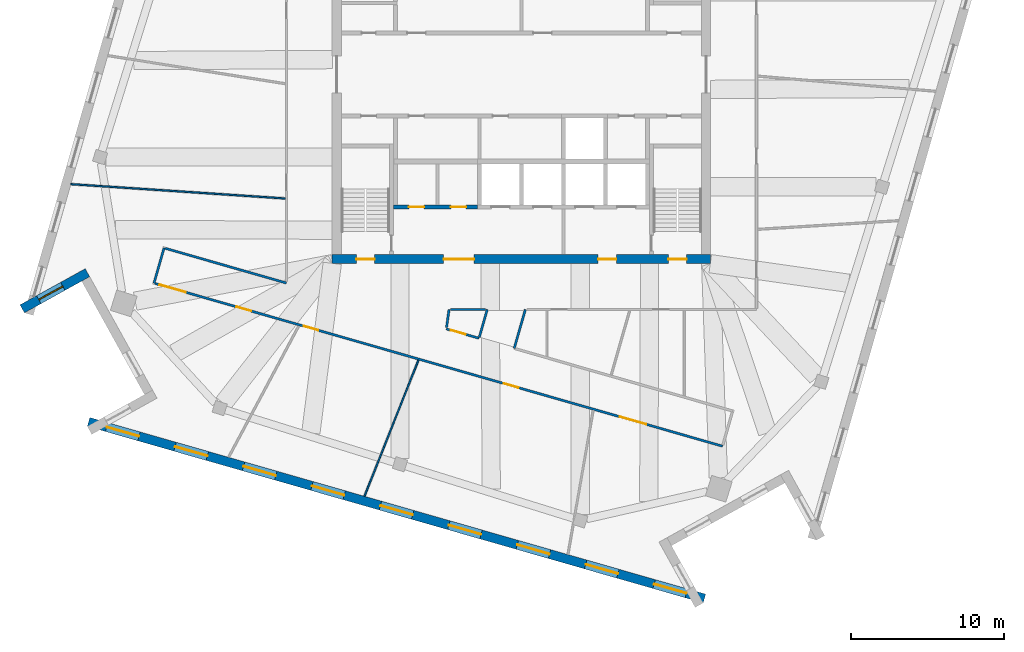
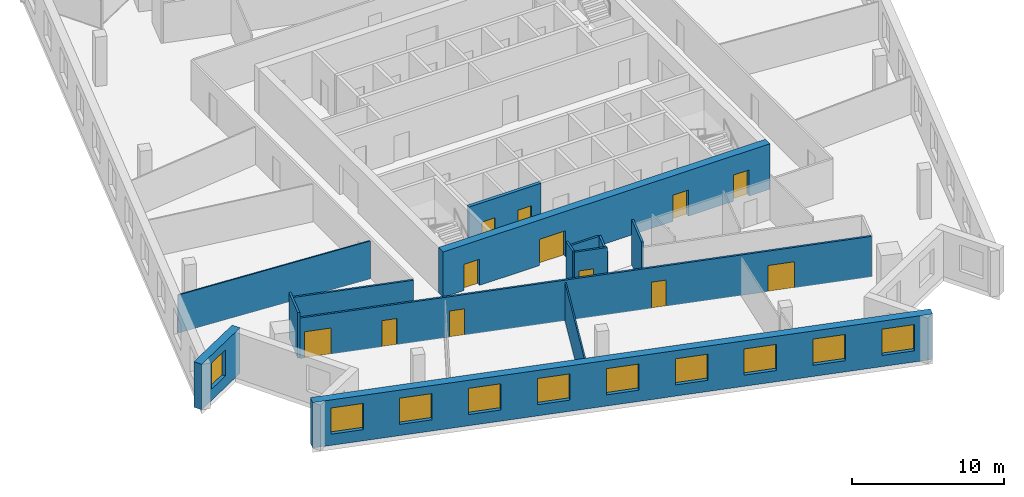
# One storey, part 7 of 15: 14 walls, 12 doors, 10 windows, 22 openings.
"""IFC4 building model written with IfcOpenShell, lengths in metres."""

from ifc_helpers import new_model, si_unit, direction, frame, frame_2d, origin, place, context, subcontext, project, spatial, rectangle, extrude, material, layer, layer_set, type_object, element, fill, save


model = new_model("IFC4")

# Units and contexts
model_context = context("Model", 3, precision=1e-05, world=origin(), true_north=direction((0.0, 1.0)))
body_context = subcontext(model_context, "Body", "Model", "MODEL_VIEW")
ifc_project = project(units=[si_unit("LENGTHUNIT", "METRE"), si_unit("AREAUNIT", "SQUARE_METRE"), si_unit("VOLUMEUNIT", "CUBIC_METRE"), si_unit("PLANEANGLEUNIT", "RADIAN"), si_unit("MASSUNIT", "GRAM", prefix="KILO")], contexts=[model_context])

# Site, building, storey
site_placement = place(None, origin())
site = spatial("IfcSite", under=ifc_project, at=site_placement, CompositionType="ELEMENT")
building_placement = place(site_placement, origin())
building = spatial("IfcBuilding", under=site, at=building_placement, Name="Dilmun Exchange Tower", CompositionType="ELEMENT")
storey_placement = place(building_placement, frame((0.0, 0.0, 324.5)))
storey = spatial("IfcBuildingStorey", under=building, at=storey_placement, Name="L77", CompositionType="ELEMENT", Elevation=324.5)

# Wall, openings, doors
ifc_material_1 = material(Name="Concrete C40/50", Category="concrete")
ifc_layer_1 = layer(ifc_material_1, 0.25)
ifc_layer_set_1 = layer_set([ifc_layer_1], Name="Concrete C40/50")
wall_type_1 = type_object("IfcWallType", Name="Core partition wall 250", PredefinedType="PARTITIONING", material=ifc_layer_set_1)
wall_1_placement = place(storey_placement, frame((-8.3701171875, -8.675048828125, 0.0), z_axis=(0.0, 0.0, 1.0), x_axis=(1.0, 0.0, 0.0)))
wall_1 = element("IfcWall", 1, at=wall_1_placement, inside=storey, type_object=wall_type_1, Name="L77 core partition wall 02", PredefinedType="PARTITIONING", context=body_context, shape_type="SweptSolid", body=[
    extrude(rectangle(XDim=5.490234375, YDim=0.25, at=frame_2d((2.7451171875, 0.0))), origin(), (0.0, 0.0, 1.0), 3.64990234375),
])
opening_1_placement = place(wall_1_placement, frame((0.9951171875, 0.0, 0.0)))
opening_1 = element("IfcOpeningElement", 2, at=opening_1_placement, cuts=wall_1, Name="Opening CD4", PredefinedType="OPENING", context=body_context, shape_type="SweptSolid", body=[
    extrude(rectangle(XDim=1.0, YDim=2.10009765625, at=frame_2d((0.5, 1.050048828125))), frame((0.0, 0.135009765625, 0.0), z_axis=(0.0, -1.0, 0.0), x_axis=(1.0, 0.0, 0.0)), (0.0, 0.0, 1.0), 0.27001953125),
])
opening_2_placement = place(wall_1_placement, frame((3.7451171875, 0.0, 0.0)))
opening_2 = element("IfcOpeningElement", 3, at=opening_2_placement, cuts=wall_1, Name="Opening CD4", PredefinedType="OPENING", context=body_context, shape_type="SweptSolid", body=[
    extrude(rectangle(XDim=1.0, YDim=2.10009765625, at=frame_2d((0.5, 1.050048828125))), frame((0.0, 0.135009765625, 0.0), z_axis=(0.0, -1.0, 0.0), x_axis=(1.0, 0.0, 0.0)), (0.0, 0.0, 1.0), 0.27001953125),
])
ifc_material_2 = material(Name="Fire-rated steel door set", Category="steel")
door_type_1 = type_object("IfcDoorType", Name="Core room door 1000x2100", OperationType="SINGLE_SWING_LEFT", PredefinedType="DOOR", material=ifc_material_2)
door_1_placement = place(opening_1_placement, origin())
door_1 = element("IfcDoor", 4, at=door_1_placement, inside=storey, type_object=door_type_1, Name="L77 door Male WC", OperationType="SINGLE_SWING_RIGHT", OverallHeight=2.10009765625, OverallWidth=1.0, PredefinedType="DOOR", context=body_context, shape_type="SweptSolid", body=[
    extrude(rectangle(XDim=1.0, YDim=2.10009765625, at=frame_2d((0.5, 1.050048828125))), frame((0.0, 0.02490234375, 0.0), z_axis=(0.0, -1.0, 0.0), x_axis=(1.0, 0.0, 0.0)), (0.0, 0.0, 1.0), 0.050048828125),
])
fill(opening_1, door_1)
door_2_placement = place(opening_2_placement, origin())
door_2 = element("IfcDoor", 5, at=door_2_placement, inside=storey, type_object=door_type_1, Name="L77 door Female WC", OperationType="SINGLE_SWING_RIGHT", OverallHeight=2.10009765625, OverallWidth=1.0, PredefinedType="DOOR", context=body_context, shape_type="SweptSolid", body=[
    extrude(rectangle(XDim=1.0, YDim=2.10009765625, at=frame_2d((0.5, 1.050048828125))), frame((0.0, 0.02490234375, 0.0), z_axis=(0.0, -1.0, 0.0), x_axis=(1.0, 0.0, 0.0)), (0.0, 0.0, 1.0), 0.050048828125),
])
fill(opening_2, door_2)

ifc_material_3 = material(Name="Concrete C50/60", Category="concrete")
ifc_layer_2 = layer(ifc_material_3, 0.60009765625)
ifc_layer_set_2 = layer_set([ifc_layer_2], Name="Concrete C50/60")
wall_type_2 = type_object("IfcWallType", Name="Core shear wall 600 Concrete C50/60", PredefinedType="SHEAR", material=ifc_layer_set_2)
wall_2_placement = place(storey_placement, frame((-12.39990234375, -12.10009765625, 0.0), z_axis=(0.0, 0.0, 1.0), x_axis=(1.0, 0.0, 0.0)))
wall_2 = element("IfcWall", 6, at=wall_2_placement, inside=storey, type_object=wall_type_2, Name="L77 core shear wall S", PredefinedType="SHEAR", context=body_context, shape_type="SweptSolid", body=[
    extrude(rectangle(XDim=24.7998046875, YDim=0.60009765625, at=frame_2d((12.39990234375, 0.0))), origin(), (0.0, 0.0, 1.0), 3.64990234375),
])
opening_3_placement = place(wall_2_placement, frame((7.300048828125, 0.0, 0.0)))
opening_3 = element("IfcOpeningElement", 7, at=opening_3_placement, cuts=wall_2, Name="Opening CD2", PredefinedType="OPENING", context=body_context, shape_type="SweptSolid", body=[
    extrude(rectangle(XDim=2.0, YDim=2.10009765625, at=frame_2d((1.0, 1.050048828125))), frame((0.0, 0.31005859375, 0.0), z_axis=(0.0, -1.0, 0.0), x_axis=(1.0, 0.0, 0.0)), (0.0, 0.0, 1.0), 0.6201171875),
])
opening_4_placement = place(wall_2_placement, frame((17.425048828125, 0.0, 0.0)))
opening_4 = element("IfcOpeningElement", 8, at=opening_4_placement, cuts=wall_2, Name="Opening CD3", PredefinedType="OPENING", context=body_context, shape_type="SweptSolid", body=[
    extrude(rectangle(XDim=1.199951171875, YDim=2.10009765625, at=frame_2d((0.60009765625, 1.050048828125))), frame((0.0, 0.31005859375, 0.0), z_axis=(0.0, -1.0, 0.0), x_axis=(1.0, 0.0, 0.0)), (0.0, 0.0, 1.0), 0.6201171875),
])
opening_5_placement = place(wall_2_placement, frame((1.574951171875, 0.0, 0.0)))
opening_5 = element("IfcOpeningElement", 9, at=opening_5_placement, cuts=wall_2, Name="Opening CD3", PredefinedType="OPENING", context=body_context, shape_type="SweptSolid", body=[
    extrude(rectangle(XDim=1.199951171875, YDim=2.10009765625, at=frame_2d((0.60009765625, 1.050048828125))), frame((0.0, 0.31005859375, 0.0), z_axis=(0.0, -1.0, 0.0), x_axis=(1.0, 0.0, 0.0)), (0.0, 0.0, 1.0), 0.6201171875),
])
opening_6_placement = place(wall_2_placement, frame((22.02490234375, 0.0, 0.0)))
opening_6 = element("IfcOpeningElement", 10, at=opening_6_placement, cuts=wall_2, Name="Opening CD3", PredefinedType="OPENING", context=body_context, shape_type="SweptSolid", body=[
    extrude(rectangle(XDim=1.199951171875, YDim=2.10009765625, at=frame_2d((0.60009765625, 1.050048828125))), frame((0.0, 0.31005859375, 0.0), z_axis=(0.0, -1.0, 0.0), x_axis=(1.0, 0.0, 0.0)), (0.0, 0.0, 1.0), 0.6201171875),
])
door_type_2 = type_object("IfcDoorType", Name="Core service door 2000x2100", OperationType="DOUBLE_DOOR_DOUBLE_SWING", PredefinedType="DOOR", material=ifc_material_2)
door_3_placement = place(opening_3_placement, origin())
door_3 = element("IfcDoor", 11, at=door_3_placement, inside=storey, type_object=door_type_2, Name="L77 door South service lobby", OperationType="SINGLE_SWING_LEFT", OverallHeight=2.10009765625, OverallWidth=2.0, PredefinedType="DOOR", context=body_context, shape_type="SweptSolid", body=[
    extrude(rectangle(XDim=2.0, YDim=2.10009765625, at=frame_2d((1.0, 1.050048828125))), frame((0.0, 0.02490234375, 0.0), z_axis=(0.0, -1.0, 0.0), x_axis=(1.0, 0.0, 0.0)), (0.0, 0.0, 1.0), 0.050048828125),
])
fill(opening_3, door_3)
door_type_3 = type_object("IfcDoorType", Name="Stair exit door 1200x2100", OperationType="SINGLE_SWING_LEFT", PredefinedType="DOOR", material=ifc_material_2)
door_4_placement = place(opening_4_placement, origin())
door_4 = element("IfcDoor", 12, at=door_4_placement, inside=storey, type_object=door_type_3, Name="L77 door Fire-fighting lobby", OperationType="SINGLE_SWING_LEFT", OverallHeight=2.10009765625, OverallWidth=1.199951171875, PredefinedType="DOOR", context=body_context, shape_type="SweptSolid", body=[
    extrude(rectangle(XDim=1.199951171875, YDim=2.10009765625, at=frame_2d((0.60009765625, 1.050048828125))), frame((0.0, 0.02490234375, 0.0), z_axis=(0.0, -1.0, 0.0), x_axis=(1.0, 0.0, 0.0)), (0.0, 0.0, 1.0), 0.050048828125),
])
fill(opening_4, door_4)
door_5_placement = place(opening_5_placement, origin())
door_5 = element("IfcDoor", 13, at=door_5_placement, inside=storey, type_object=door_type_3, Name="L77 door Stair ST2", OperationType="SINGLE_SWING_LEFT", OverallHeight=2.10009765625, OverallWidth=1.199951171875, PredefinedType="DOOR", context=body_context, shape_type="SweptSolid", body=[
    extrude(rectangle(XDim=1.199951171875, YDim=2.10009765625, at=frame_2d((0.60009765625, 1.050048828125))), frame((0.0, 0.02490234375, 0.0), z_axis=(0.0, -1.0, 0.0), x_axis=(1.0, 0.0, 0.0)), (0.0, 0.0, 1.0), 0.050048828125),
])
fill(opening_5, door_5)
door_6_placement = place(opening_6_placement, origin())
door_6 = element("IfcDoor", 14, at=door_6_placement, inside=storey, type_object=door_type_3, Name="L77 door Stair ST3", OperationType="SINGLE_SWING_LEFT", OverallHeight=2.10009765625, OverallWidth=1.199951171875, PredefinedType="DOOR", context=body_context, shape_type="SweptSolid", body=[
    extrude(rectangle(XDim=1.199951171875, YDim=2.10009765625, at=frame_2d((0.60009765625, 1.050048828125))), frame((0.0, 0.02490234375, 0.0), z_axis=(0.0, -1.0, 0.0), x_axis=(1.0, 0.0, 0.0)), (0.0, 0.0, 1.0), 0.050048828125),
])
fill(opening_6, door_6)

# Wall
ifc_material_4 = material(Name="Corridor wall 150")
ifc_layer_3 = layer(ifc_material_4, 0.14990234375)
ifc_layer_set_3 = layer_set([ifc_layer_3], Name="Corridor wall 150")
wall_type_3 = type_object("IfcWallType", Name="Corridor wall 150", PredefinedType="PARTITIONING", material=ifc_layer_set_3)
wall_3_placement = place(storey_placement, frame((-24.0791015625, -13.673095703125, 0.0), z_axis=(0.0, 0.0, 1.0), x_axis=(0.275849392554, 0.961200870072, 0.0)))
element("IfcWall", 15, at=wall_3_placement, inside=storey, type_object=wall_type_3, Name="Corridor wall", PredefinedType="PARTITIONING", context=body_context, shape_type="SweptSolid", body=[
    extrude(rectangle(XDim=2.400146484375, YDim=0.14990234375, at=frame_2d((1.2001953125, 0.0))), origin(), (0.0, 0.0, 1.0), 3.64990234375),
])

# Wall, openings, doors
wall_4_placement = place(storey_placement, frame((-24.0068359375, -13.693603515625, 0.0), z_axis=(0.0, 0.0, 1.0), x_axis=(0.961264140923, -0.275628828998, 0.0)))
wall_4 = element("IfcWall", 16, at=wall_4_placement, inside=storey, type_object=wall_type_3, Name="Corridor wall", PredefinedType="PARTITIONING", context=body_context, shape_type="SweptSolid", body=[
    extrude(rectangle(XDim=38.68017578125, YDim=0.14990234375, at=frame_2d((19.340087890625, 0.0))), origin(), (0.0, 0.0, 1.0), 3.25),
])
opening_7_placement = place(wall_4_placement, frame((0.300048828125, 0.0, 0.0)))
opening_7 = element("IfcOpeningElement", 17, at=opening_7_placement, cuts=wall_4, Name="Opening TF77-D01", PredefinedType="OPENING", context=body_context, shape_type="SweptSolid", body=[
    extrude(rectangle(XDim=1.800048828125, YDim=2.10009765625, at=frame_2d((0.89990234375, 1.050048828125))), frame((0.0, 0.0849609375, 0.0), z_axis=(0.0, -1.0, 0.0), x_axis=(1.0, 0.0, 0.0)), (0.0, 0.0, 1.0), 0.169921875),
])
opening_8_placement = place(wall_4_placement, frame((5.550048828125, 0.0, 0.0)))
opening_8 = element("IfcOpeningElement", 18, at=opening_8_placement, cuts=wall_4, Name="Opening TF77-D02", PredefinedType="OPENING", context=body_context, shape_type="SweptSolid", body=[
    extrude(rectangle(XDim=1.0, YDim=2.10009765625, at=frame_2d((0.5, 1.050048828125))), frame((0.0, 0.0849609375, 0.0), z_axis=(0.0, -1.0, 0.0), x_axis=(1.0, 0.0, 0.0)), (0.0, 0.0, 1.0), 0.169921875),
])
opening_9_placement = place(wall_4_placement, frame((10.12451171875, 0.0, 0.0)))
opening_9 = element("IfcOpeningElement", 19, at=opening_9_placement, cuts=wall_4, Name="Opening TF77-D07", PredefinedType="OPENING", context=body_context, shape_type="SweptSolid", body=[
    extrude(rectangle(XDim=1.0, YDim=2.10009765625, at=frame_2d((0.5, 1.050048828125))), frame((0.0, 0.0849609375, 0.0), z_axis=(0.0, -1.0, 0.0), x_axis=(1.0, 0.0, 0.0)), (0.0, 0.0, 1.0), 0.169921875),
])
opening_10_placement = place(wall_4_placement, frame((23.77587890625, 0.0, 0.0)))
opening_10 = element("IfcOpeningElement", 20, at=opening_10_placement, cuts=wall_4, Name="Opening TF77-D09", PredefinedType="OPENING", context=body_context, shape_type="SweptSolid", body=[
    extrude(rectangle(XDim=1.0, YDim=2.10009765625, at=frame_2d((0.5, 1.050048828125))), frame((0.0, 0.0849609375, 0.0), z_axis=(0.0, -1.0, 0.0), x_axis=(1.0, 0.0, 0.0)), (0.0, 0.0, 1.0), 0.169921875),
])
opening_11_placement = place(wall_4_placement, frame((31.674560546875, 0.0, 0.0)))
opening_11 = element("IfcOpeningElement", 21, at=opening_11_placement, cuts=wall_4, Name="Opening TF77-D16", PredefinedType="OPENING", context=body_context, shape_type="SweptSolid", body=[
    extrude(rectangle(XDim=1.800048828125, YDim=2.10009765625, at=frame_2d((0.89990234375, 1.050048828125))), frame((0.0, 0.0849609375, 0.0), z_axis=(0.0, -1.0, 0.0), x_axis=(1.0, 0.0, 0.0)), (0.0, 0.0, 1.0), 0.169921875),
])
ifc_material_5 = material(Name="Fire door 1000 x 2100")
door_type_4 = type_object("IfcDoorType", Name="Fire door 1000 x 2100", OperationType="NOTDEFINED", PredefinedType="DOOR", material=ifc_material_5)
door_7_placement = place(opening_8_placement, frame((1.0, 0.0, 0.0), z_axis=(0.0, 0.0, 1.0), x_axis=(-1.0, 0.0, 0.0)))
door_7 = element("IfcDoor", 22, at=door_7_placement, inside=storey, type_object=door_type_4, Name="Door TF77-D02", OperationType="SINGLE_SWING_RIGHT", OverallHeight=2.10009765625, OverallWidth=1.0, PredefinedType="DOOR", context=body_context, shape_type="SweptSolid", body=[
    extrude(rectangle(XDim=1.0, YDim=2.10009765625, at=frame_2d((0.5, 1.050048828125))), frame((0.0, 0.02490234375, 0.0), z_axis=(0.0, -1.0, 0.0), x_axis=(1.0, 0.0, 0.0)), (0.0, 0.0, 1.0), 0.050048828125),
])
fill(opening_8, door_7)
door_8_placement = place(opening_9_placement, frame((1.0, 0.0, 0.0), z_axis=(0.0, 0.0, 1.0), x_axis=(-1.0, 0.0, 0.0)))
door_8 = element("IfcDoor", 23, at=door_8_placement, inside=storey, type_object=door_type_4, Name="Door TF77-D07", OperationType="SINGLE_SWING_LEFT", OverallHeight=2.10009765625, OverallWidth=1.0, PredefinedType="DOOR", context=body_context, shape_type="SweptSolid", body=[
    extrude(rectangle(XDim=1.0, YDim=2.10009765625, at=frame_2d((0.5, 1.050048828125))), frame((0.0, 0.02490234375, 0.0), z_axis=(0.0, -1.0, 0.0), x_axis=(1.0, 0.0, 0.0)), (0.0, 0.0, 1.0), 0.050048828125),
])
fill(opening_9, door_8)
door_9_placement = place(opening_10_placement, frame((1.0, 0.0, 0.0), z_axis=(0.0, 0.0, 1.0), x_axis=(-1.0, 0.0, 0.0)))
door_9 = element("IfcDoor", 24, at=door_9_placement, inside=storey, type_object=door_type_4, Name="Door TF77-D09", OperationType="SINGLE_SWING_RIGHT", OverallHeight=2.10009765625, OverallWidth=1.0, PredefinedType="DOOR", context=body_context, shape_type="SweptSolid", body=[
    extrude(rectangle(XDim=1.0, YDim=2.10009765625, at=frame_2d((0.5, 1.050048828125))), frame((0.0, 0.02490234375, 0.0), z_axis=(0.0, -1.0, 0.0), x_axis=(1.0, 0.0, 0.0)), (0.0, 0.0, 1.0), 0.050048828125),
])
fill(opening_10, door_9)
ifc_material_6 = material(Name="Fire door pair 1800 x 2100")
door_type_5 = type_object("IfcDoorType", Name="Fire door pair 1800 x 2100", OperationType="NOTDEFINED", PredefinedType="DOOR", material=ifc_material_6)
door_10_placement = place(opening_7_placement, frame((1.800048828125, 0.0, 0.0), z_axis=(0.0, 0.0, 1.0), x_axis=(-1.0, 0.0, 0.0)))
door_10 = element("IfcDoor", 25, at=door_10_placement, inside=storey, type_object=door_type_5, Name="Door TF77-D01", OperationType="DOUBLE_DOOR_SINGLE_SWING", OverallHeight=2.10009765625, OverallWidth=1.800048828125, PredefinedType="DOOR", context=body_context, shape_type="SweptSolid", body=[
    extrude(rectangle(XDim=1.800048828125, YDim=2.10009765625, at=frame_2d((0.89990234375, 1.050048828125))), frame((0.0, 0.02490234375, 0.0), z_axis=(0.0, -1.0, 0.0), x_axis=(1.0, 0.0, 0.0)), (0.0, 0.0, 1.0), 0.050048828125),
])
fill(opening_7, door_10)
door_11_placement = place(opening_11_placement, frame((1.800048828125, 0.0, 0.0), z_axis=(0.0, 0.0, 1.0), x_axis=(-1.0, 0.0, 0.0)))
door_11 = element("IfcDoor", 26, at=door_11_placement, inside=storey, type_object=door_type_5, Name="Door TF77-D16", OperationType="DOUBLE_DOOR_SINGLE_SWING", OverallHeight=2.10009765625, OverallWidth=1.800048828125, PredefinedType="DOOR", context=body_context, shape_type="SweptSolid", body=[
    extrude(rectangle(XDim=1.800048828125, YDim=2.10009765625, at=frame_2d((0.89990234375, 1.050048828125))), frame((0.0, 0.02490234375, 0.0), z_axis=(0.0, -1.0, 0.0), x_axis=(1.0, 0.0, 0.0)), (0.0, 0.0, 1.0), 0.050048828125),
])
fill(opening_11, door_11)

# Wall
wall_5_placement = place(storey_placement, frame((-23.344970703125, -11.38671875, 0.0), z_axis=(0.0, 0.0, 1.0), x_axis=(0.961258213807, -0.275649499163, 0.0)))
element("IfcWall", 27, at=wall_5_placement, inside=storey, type_object=wall_type_3, Name="Corridor wall", PredefinedType="PARTITIONING", context=body_context, shape_type="SweptSolid", body=[
    extrude(rectangle(XDim=8.265380859375, YDim=0.14990234375, at=frame_2d((4.1328125, 0.0))), origin(), (0.0, 0.0, 1.0), 3.25),
])

# Wall, opening, door
wall_6_placement = place(storey_placement, frame((-4.923095703125, -16.6689453125, 0.0), z_axis=(0.0, 0.0, 1.0), x_axis=(0.961254639508, -0.275661963325, 0.0)))
wall_6 = element("IfcWall", 28, at=wall_6_placement, inside=storey, type_object=wall_type_3, Name="Corridor wall", PredefinedType="PARTITIONING", context=body_context, shape_type="SweptSolid", body=[
    extrude(rectangle(XDim=2.227294921875, YDim=0.14990234375, at=frame_2d((1.11376953125, 0.0))), origin(), (0.0, 0.0, 1.0), 3.64990234375),
])
opening_12_placement = place(wall_6_placement, frame((0.300048828125, 0.0, 0.0)))
opening_12 = element("IfcOpeningElement", 29, at=opening_12_placement, cuts=wall_6, Name="Opening TF77-D10", PredefinedType="OPENING", context=body_context, shape_type="SweptSolid", body=[
    extrude(rectangle(XDim=1.0, YDim=2.10009765625, at=frame_2d((0.5, 1.050048828125))), frame((0.0, 0.0849609375, 0.0), z_axis=(0.0, -1.0, 0.0), x_axis=(1.0, 0.0, 0.0)), (0.0, 0.0, 1.0), 0.169921875),
])
door_12_placement = place(opening_12_placement, origin())
door_12 = element("IfcDoor", 30, at=door_12_placement, inside=storey, type_object=door_type_4, Name="Door TF77-D10", OperationType="SINGLE_SWING_RIGHT", OverallHeight=2.10009765625, OverallWidth=1.0, PredefinedType="DOOR", context=body_context, shape_type="SweptSolid", body=[
    extrude(rectangle(XDim=1.0, YDim=2.10009765625, at=frame_2d((0.5, 1.050048828125))), frame((0.0, 0.02490234375, 0.0), z_axis=(0.0, -1.0, 0.0), x_axis=(1.0, 0.0, 0.0)), (0.0, 0.0, 1.0), 0.050048828125),
])
fill(opening_12, door_12)

# Walls
wall_7_placement = place(storey_placement, frame((-4.910888671875, -16.58349609375, 0.0), z_axis=(0.0, 0.0, 1.0), x_axis=(0.139705462727, 0.99019310424, 0.0)))
element("IfcWall", 31, at=wall_7_placement, inside=storey, type_object=wall_type_3, Name="Corridor wall", PredefinedType="PARTITIONING", context=body_context, shape_type="SweptSolid", body=[
    extrude(rectangle(XDim=1.1953125, YDim=0.14990234375, at=frame_2d((0.59765625, 0.0))), origin(), (0.0, 0.0, 1.0), 3.64990234375),
])
wall_8_placement = place(storey_placement, frame((-4.65771484375, -15.39990234375, 0.0), z_axis=(0.0, 0.0, 1.0), x_axis=(1.0, 0.0, 0.0)))
element("IfcWall", 32, at=wall_8_placement, inside=storey, type_object=wall_type_3, Name="Corridor wall", PredefinedType="PARTITIONING", context=body_context, shape_type="SweptSolid", body=[
    extrude(rectangle(XDim=2.316162109375, YDim=0.14990234375, at=frame_2d((1.158203125, 0.0))), origin(), (0.0, 0.0, 1.0), 3.25),
])
wall_9_placement = place(storey_placement, frame((-2.76123046875, -17.2109375, 0.0), z_axis=(0.0, 0.0, 1.0), x_axis=(0.275628103307, 0.961264349005, 0.0)))
element("IfcWall", 33, at=wall_9_placement, inside=storey, type_object=wall_type_3, Name="Corridor wall", PredefinedType="PARTITIONING", context=body_context, shape_type="SweptSolid", body=[
    extrude(rectangle(XDim=1.884033203125, YDim=0.14990234375, at=frame_2d((0.94189453125, 0.0))), origin(), (0.0, 0.0, 1.0), 3.25),
])
wall_10_placement = place(storey_placement, frame((-0.47509765625, -17.944091796875, 0.0), z_axis=(0.0, 0.0, 1.0), x_axis=(0.275793011759, 0.961217048676, 0.0)))
element("IfcWall", 34, at=wall_10_placement, inside=storey, type_object=wall_type_3, Name="Corridor wall", PredefinedType="PARTITIONING", context=body_context, shape_type="SweptSolid", body=[
    extrude(rectangle(XDim=2.646728515625, YDim=0.14990234375, at=frame_2d((1.3232421875, 0.0))), origin(), (0.0, 0.0, 1.0), 3.64990234375),
])
ifc_material_7 = material(Name="Partition 100")
ifc_layer_4 = layer(ifc_material_7, 0.10009765625)
ifc_layer_set_4 = layer_set([ifc_layer_4], Name="Partition 100")
wall_type_4 = type_object("IfcWallType", Name="Partition 100", PredefinedType="PARTITIONING", material=ifc_layer_set_4)
wall_11_placement = place(storey_placement, frame((-29.521728515625, -7.18408203125, 0.0), z_axis=(0.0, 0.0, 1.0), x_axis=(0.997764155263, -0.06683330361, 0.0)))
element("IfcWall", 35, at=wall_11_placement, inside=storey, type_object=wall_type_4, Name="Partition", PredefinedType="PARTITIONING", context=body_context, shape_type="SweptSolid", body=[
    extrude(rectangle(XDim=14.074951171875, YDim=0.10009765625, at=frame_2d((7.03759765625, 0.0))), origin(), (0.0, 0.0, 1.0), 3.050048828125),
])
wall_12_placement = place(storey_placement, frame((-10.288818359375, -27.632568359375, 0.0), z_axis=(0.0, 0.0, 1.0), x_axis=(0.368868227501, 0.929481700057, 0.0)))
element("IfcWall", 36, at=wall_12_placement, inside=storey, type_object=wall_type_4, Name="Partition", PredefinedType="PARTITIONING", context=body_context, shape_type="SweptSolid", body=[
    extrude(rectangle(XDim=9.583740234375, YDim=0.10009765625, at=frame_2d((4.7919921875, 0.0))), origin(), (0.0, 0.0, 1.0), 3.050048828125),
])

# Wall, opening, window
ifc_material_8 = material(Name="Precast concrete C50/60", Category="concrete")
ifc_layer_5 = layer(ifc_material_8, 0.60009765625)
ifc_layer_set_5 = layer_set([ifc_layer_5], Name="Precast concrete C50/60")
wall_type_5 = type_object("IfcWallType", Name="Precast stone-clad wall 600", PredefinedType="STANDARD", material=ifc_layer_set_5)
wall_13_placement = place(storey_placement, frame((-32.7119140625, -15.355712890625, 0.0), z_axis=(0.0, 0.0, 1.0), x_axis=(0.874609472896, 0.48482808285, 0.0)))
wall_13 = element("IfcWall", 37, at=wall_13_placement, inside=storey, type_object=wall_type_5, Name="Facade wall L77-04", PredefinedType="STANDARD", context=body_context, shape_type="SweptSolid", body=[
    extrude(rectangle(XDim=4.885498046875, YDim=0.60009765625, at=frame_2d((2.44287109375, 0.0))), origin(), (0.0, 0.0, 1.0), 3.64990234375),
])
opening_13_placement = place(wall_13_placement, frame((1.242919921875, 0.0, 0.89990234375)))
opening_13 = element("IfcOpeningElement", 38, at=opening_13_placement, cuts=wall_13, Name="Opening W180-210", PredefinedType="OPENING", context=body_context, shape_type="SweptSolid", body=[
    extrude(rectangle(XDim=1.800048828125, YDim=2.10009765625, at=frame_2d((0.89990234375, 1.050048828125))), frame((0.0, 0.31005859375, 0.0), z_axis=(0.0, -1.0, 0.0), x_axis=(1.0, 0.0, 0.0)), (0.0, 0.0, 1.0), 0.6201171875),
])
ifc_material_9 = material(Name="Clear low-emissivity glass in aluminium frame", Category="aluminium")
window_type_1 = type_object("IfcWindowType", Name="Punched window 1800 x 2100", PartitioningType="DOUBLE_PANEL_VERTICAL", PredefinedType="WINDOW", material=ifc_material_9)
window_1_placement = place(opening_13_placement, origin())
window_1 = element("IfcWindow", 39, at=window_1_placement, inside=storey, type_object=window_type_1, Name="Window 5.1", OverallHeight=2.10009765625, OverallWidth=1.800048828125, PartitioningType="SINGLE_PANEL", PredefinedType="WINDOW", context=body_context, shape_type="SweptSolid", body=[
    extrude(rectangle(XDim=1.800048828125, YDim=2.10009765625, at=frame_2d((0.89990234375, 1.050048828125))), frame((0.0, 0.030029296875, 0.0), z_axis=(0.0, -1.0, 0.0), x_axis=(1.0, 0.0, 0.0)), (0.0, 0.0, 1.0), 0.06005859375),
])
fill(opening_13, window_1)

# Wall, openings, windows
wall_14_placement = place(storey_placement, frame((-28.36279296875, -22.763916015625, 0.0), z_axis=(0.0, 0.0, 1.0), x_axis=(0.961261250735, -0.275638908422, 0.0)))
wall_14 = element("IfcWall", 40, at=wall_14_placement, inside=storey, type_object=wall_type_5, Name="Facade wall L77-07", PredefinedType="STANDARD", context=body_context, shape_type="SweptSolid", body=[
    extrude(rectangle(XDim=41.97900390625, YDim=0.60009765625, at=frame_2d((20.989501953125, 0.0))), origin(), (0.0, 0.0, 1.0), 3.64990234375),
])
opening_14_placement = place(wall_14_placement, frame((1.232177734375, 0.0, 0.89990234375)))
opening_14 = element("IfcOpeningElement", 41, at=opening_14_placement, cuts=wall_14, Name="Opening W220-210", PredefinedType="OPENING", context=body_context, shape_type="SweptSolid", body=[
    extrude(rectangle(XDim=2.199951171875, YDim=2.10009765625, at=frame_2d((1.10009765625, 1.050048828125))), frame((0.0, 0.31005859375, 0.0), z_axis=(0.0, -1.0, 0.0), x_axis=(1.0, 0.0, 0.0)), (0.0, 0.0, 1.0), 0.6201171875),
])
opening_15_placement = place(wall_14_placement, frame((5.896484375, 0.0, 0.89990234375)))
opening_15 = element("IfcOpeningElement", 42, at=opening_15_placement, cuts=wall_14, Name="Opening W220-210", PredefinedType="OPENING", context=body_context, shape_type="SweptSolid", body=[
    extrude(rectangle(XDim=2.199951171875, YDim=2.10009765625, at=frame_2d((1.10009765625, 1.050048828125))), frame((0.0, 0.31005859375, 0.0), z_axis=(0.0, -1.0, 0.0), x_axis=(1.0, 0.0, 0.0)), (0.0, 0.0, 1.0), 0.6201171875),
])
opening_16_placement = place(wall_14_placement, frame((10.560791015625, 0.0, 0.89990234375)))
opening_16 = element("IfcOpeningElement", 43, at=opening_16_placement, cuts=wall_14, Name="Opening W220-210", PredefinedType="OPENING", context=body_context, shape_type="SweptSolid", body=[
    extrude(rectangle(XDim=2.199951171875, YDim=2.10009765625, at=frame_2d((1.10009765625, 1.050048828125))), frame((0.0, 0.31005859375, 0.0), z_axis=(0.0, -1.0, 0.0), x_axis=(1.0, 0.0, 0.0)), (0.0, 0.0, 1.0), 0.6201171875),
])
opening_17_placement = place(wall_14_placement, frame((15.22509765625, 0.0, 0.89990234375)))
opening_17 = element("IfcOpeningElement", 44, at=opening_17_placement, cuts=wall_14, Name="Opening W220-210", PredefinedType="OPENING", context=body_context, shape_type="SweptSolid", body=[
    extrude(rectangle(XDim=2.199951171875, YDim=2.10009765625, at=frame_2d((1.10009765625, 1.050048828125))), frame((0.0, 0.31005859375, 0.0), z_axis=(0.0, -1.0, 0.0), x_axis=(1.0, 0.0, 0.0)), (0.0, 0.0, 1.0), 0.6201171875),
])
opening_18_placement = place(wall_14_placement, frame((19.8896484375, 0.0, 0.89990234375)))
opening_18 = element("IfcOpeningElement", 45, at=opening_18_placement, cuts=wall_14, Name="Opening W220-210", PredefinedType="OPENING", context=body_context, shape_type="SweptSolid", body=[
    extrude(rectangle(XDim=2.199951171875, YDim=2.10009765625, at=frame_2d((1.10009765625, 1.050048828125))), frame((0.0, 0.31005859375, 0.0), z_axis=(0.0, -1.0, 0.0), x_axis=(1.0, 0.0, 0.0)), (0.0, 0.0, 1.0), 0.6201171875),
])
opening_19_placement = place(wall_14_placement, frame((24.553955078125, 0.0, 0.89990234375)))
opening_19 = element("IfcOpeningElement", 46, at=opening_19_placement, cuts=wall_14, Name="Opening W220-210", PredefinedType="OPENING", context=body_context, shape_type="SweptSolid", body=[
    extrude(rectangle(XDim=2.199951171875, YDim=2.10009765625, at=frame_2d((1.10009765625, 1.050048828125))), frame((0.0, 0.31005859375, 0.0), z_axis=(0.0, -1.0, 0.0), x_axis=(1.0, 0.0, 0.0)), (0.0, 0.0, 1.0), 0.6201171875),
])
opening_20_placement = place(wall_14_placement, frame((29.21826171875, 0.0, 0.89990234375)))
opening_20 = element("IfcOpeningElement", 47, at=opening_20_placement, cuts=wall_14, Name="Opening W220-210", PredefinedType="OPENING", context=body_context, shape_type="SweptSolid", body=[
    extrude(rectangle(XDim=2.199951171875, YDim=2.10009765625, at=frame_2d((1.10009765625, 1.050048828125))), frame((0.0, 0.31005859375, 0.0), z_axis=(0.0, -1.0, 0.0), x_axis=(1.0, 0.0, 0.0)), (0.0, 0.0, 1.0), 0.6201171875),
])
opening_21_placement = place(wall_14_placement, frame((33.8828125, 0.0, 0.89990234375)))
opening_21 = element("IfcOpeningElement", 48, at=opening_21_placement, cuts=wall_14, Name="Opening W220-210", PredefinedType="OPENING", context=body_context, shape_type="SweptSolid", body=[
    extrude(rectangle(XDim=2.199951171875, YDim=2.10009765625, at=frame_2d((1.10009765625, 1.050048828125))), frame((0.0, 0.31005859375, 0.0), z_axis=(0.0, -1.0, 0.0), x_axis=(1.0, 0.0, 0.0)), (0.0, 0.0, 1.0), 0.6201171875),
])
opening_22_placement = place(wall_14_placement, frame((38.547119140625, 0.0, 0.89990234375)))
opening_22 = element("IfcOpeningElement", 49, at=opening_22_placement, cuts=wall_14, Name="Opening W220-210", PredefinedType="OPENING", context=body_context, shape_type="SweptSolid", body=[
    extrude(rectangle(XDim=2.199951171875, YDim=2.10009765625, at=frame_2d((1.10009765625, 1.050048828125))), frame((0.0, 0.31005859375, 0.0), z_axis=(0.0, -1.0, 0.0), x_axis=(1.0, 0.0, 0.0)), (0.0, 0.0, 1.0), 0.6201171875),
])
window_type_2 = type_object("IfcWindowType", Name="Punched window 2200 x 2100", PartitioningType="DOUBLE_PANEL_VERTICAL", PredefinedType="WINDOW", material=ifc_material_9)
window_2_placement = place(opening_14_placement, origin())
window_2 = element("IfcWindow", 50, at=window_2_placement, inside=storey, type_object=window_type_2, Name="Window 8.1", OverallHeight=2.10009765625, OverallWidth=2.199951171875, PartitioningType="SINGLE_PANEL", PredefinedType="WINDOW", context=body_context, shape_type="SweptSolid", body=[
    extrude(rectangle(XDim=2.199951171875, YDim=2.10009765625, at=frame_2d((1.10009765625, 1.050048828125))), frame((0.0, 0.030029296875, 0.0), z_axis=(0.0, -1.0, 0.0), x_axis=(1.0, 0.0, 0.0)), (0.0, 0.0, 1.0), 0.06005859375),
])
fill(opening_14, window_2)
window_3_placement = place(opening_15_placement, origin())
window_3 = element("IfcWindow", 51, at=window_3_placement, inside=storey, type_object=window_type_2, Name="Window 8.2", OverallHeight=2.10009765625, OverallWidth=2.199951171875, PartitioningType="SINGLE_PANEL", PredefinedType="WINDOW", context=body_context, shape_type="SweptSolid", body=[
    extrude(rectangle(XDim=2.199951171875, YDim=2.10009765625, at=frame_2d((1.10009765625, 1.050048828125))), frame((0.0, 0.030029296875, 0.0), z_axis=(0.0, -1.0, 0.0), x_axis=(1.0, 0.0, 0.0)), (0.0, 0.0, 1.0), 0.06005859375),
])
fill(opening_15, window_3)
window_4_placement = place(opening_16_placement, origin())
window_4 = element("IfcWindow", 52, at=window_4_placement, inside=storey, type_object=window_type_2, Name="Window 8.3", OverallHeight=2.10009765625, OverallWidth=2.199951171875, PartitioningType="SINGLE_PANEL", PredefinedType="WINDOW", context=body_context, shape_type="SweptSolid", body=[
    extrude(rectangle(XDim=2.199951171875, YDim=2.10009765625, at=frame_2d((1.10009765625, 1.050048828125))), frame((0.0, 0.030029296875, 0.0), z_axis=(0.0, -1.0, 0.0), x_axis=(1.0, 0.0, 0.0)), (0.0, 0.0, 1.0), 0.06005859375),
])
fill(opening_16, window_4)
window_5_placement = place(opening_17_placement, origin())
window_5 = element("IfcWindow", 53, at=window_5_placement, inside=storey, type_object=window_type_2, Name="Window 8.4", OverallHeight=2.10009765625, OverallWidth=2.199951171875, PartitioningType="SINGLE_PANEL", PredefinedType="WINDOW", context=body_context, shape_type="SweptSolid", body=[
    extrude(rectangle(XDim=2.199951171875, YDim=2.10009765625, at=frame_2d((1.10009765625, 1.050048828125))), frame((0.0, 0.030029296875, 0.0), z_axis=(0.0, -1.0, 0.0), x_axis=(1.0, 0.0, 0.0)), (0.0, 0.0, 1.0), 0.06005859375),
])
fill(opening_17, window_5)
window_6_placement = place(opening_18_placement, origin())
window_6 = element("IfcWindow", 54, at=window_6_placement, inside=storey, type_object=window_type_2, Name="Window 8.5", OverallHeight=2.10009765625, OverallWidth=2.199951171875, PartitioningType="SINGLE_PANEL", PredefinedType="WINDOW", context=body_context, shape_type="SweptSolid", body=[
    extrude(rectangle(XDim=2.199951171875, YDim=2.10009765625, at=frame_2d((1.10009765625, 1.050048828125))), frame((0.0, 0.030029296875, 0.0), z_axis=(0.0, -1.0, 0.0), x_axis=(1.0, 0.0, 0.0)), (0.0, 0.0, 1.0), 0.06005859375),
])
fill(opening_18, window_6)
window_7_placement = place(opening_19_placement, origin())
window_7 = element("IfcWindow", 55, at=window_7_placement, inside=storey, type_object=window_type_2, Name="Window 8.6", OverallHeight=2.10009765625, OverallWidth=2.199951171875, PartitioningType="SINGLE_PANEL", PredefinedType="WINDOW", context=body_context, shape_type="SweptSolid", body=[
    extrude(rectangle(XDim=2.199951171875, YDim=2.10009765625, at=frame_2d((1.10009765625, 1.050048828125))), frame((0.0, 0.030029296875, 0.0), z_axis=(0.0, -1.0, 0.0), x_axis=(1.0, 0.0, 0.0)), (0.0, 0.0, 1.0), 0.06005859375),
])
fill(opening_19, window_7)
window_8_placement = place(opening_20_placement, origin())
window_8 = element("IfcWindow", 56, at=window_8_placement, inside=storey, type_object=window_type_2, Name="Window 8.7", OverallHeight=2.10009765625, OverallWidth=2.199951171875, PartitioningType="SINGLE_PANEL", PredefinedType="WINDOW", context=body_context, shape_type="SweptSolid", body=[
    extrude(rectangle(XDim=2.199951171875, YDim=2.10009765625, at=frame_2d((1.10009765625, 1.050048828125))), frame((0.0, 0.030029296875, 0.0), z_axis=(0.0, -1.0, 0.0), x_axis=(1.0, 0.0, 0.0)), (0.0, 0.0, 1.0), 0.06005859375),
])
fill(opening_20, window_8)
window_9_placement = place(opening_21_placement, origin())
window_9 = element("IfcWindow", 57, at=window_9_placement, inside=storey, type_object=window_type_2, Name="Window 8.8", OverallHeight=2.10009765625, OverallWidth=2.199951171875, PartitioningType="SINGLE_PANEL", PredefinedType="WINDOW", context=body_context, shape_type="SweptSolid", body=[
    extrude(rectangle(XDim=2.199951171875, YDim=2.10009765625, at=frame_2d((1.10009765625, 1.050048828125))), frame((0.0, 0.030029296875, 0.0), z_axis=(0.0, -1.0, 0.0), x_axis=(1.0, 0.0, 0.0)), (0.0, 0.0, 1.0), 0.06005859375),
])
fill(opening_21, window_9)
window_10_placement = place(opening_22_placement, origin())
window_10 = element("IfcWindow", 58, at=window_10_placement, inside=storey, type_object=window_type_2, Name="Window 8.9", OverallHeight=2.10009765625, OverallWidth=2.199951171875, PartitioningType="SINGLE_PANEL", PredefinedType="WINDOW", context=body_context, shape_type="SweptSolid", body=[
    extrude(rectangle(XDim=2.199951171875, YDim=2.10009765625, at=frame_2d((1.10009765625, 1.050048828125))), frame((0.0, 0.030029296875, 0.0), z_axis=(0.0, -1.0, 0.0), x_axis=(1.0, 0.0, 0.0)), (0.0, 0.0, 1.0), 0.06005859375),
])
fill(opening_22, window_10)

save(model, "model.ifc")
